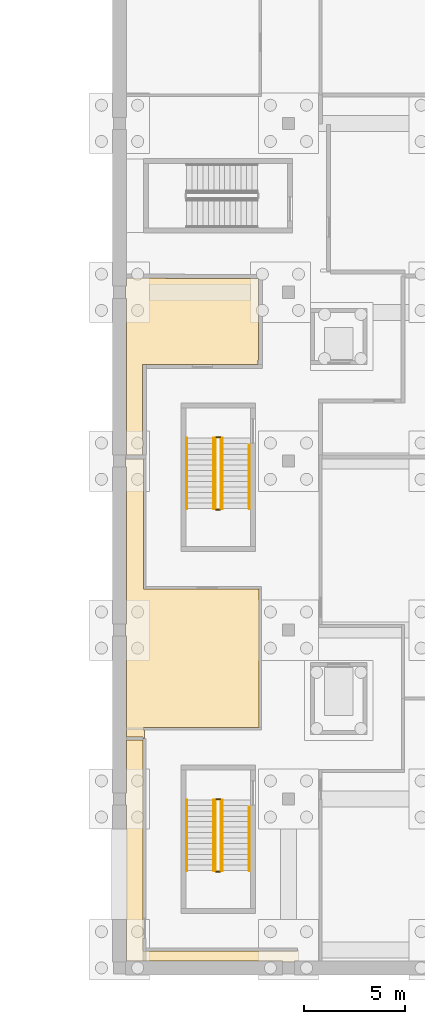
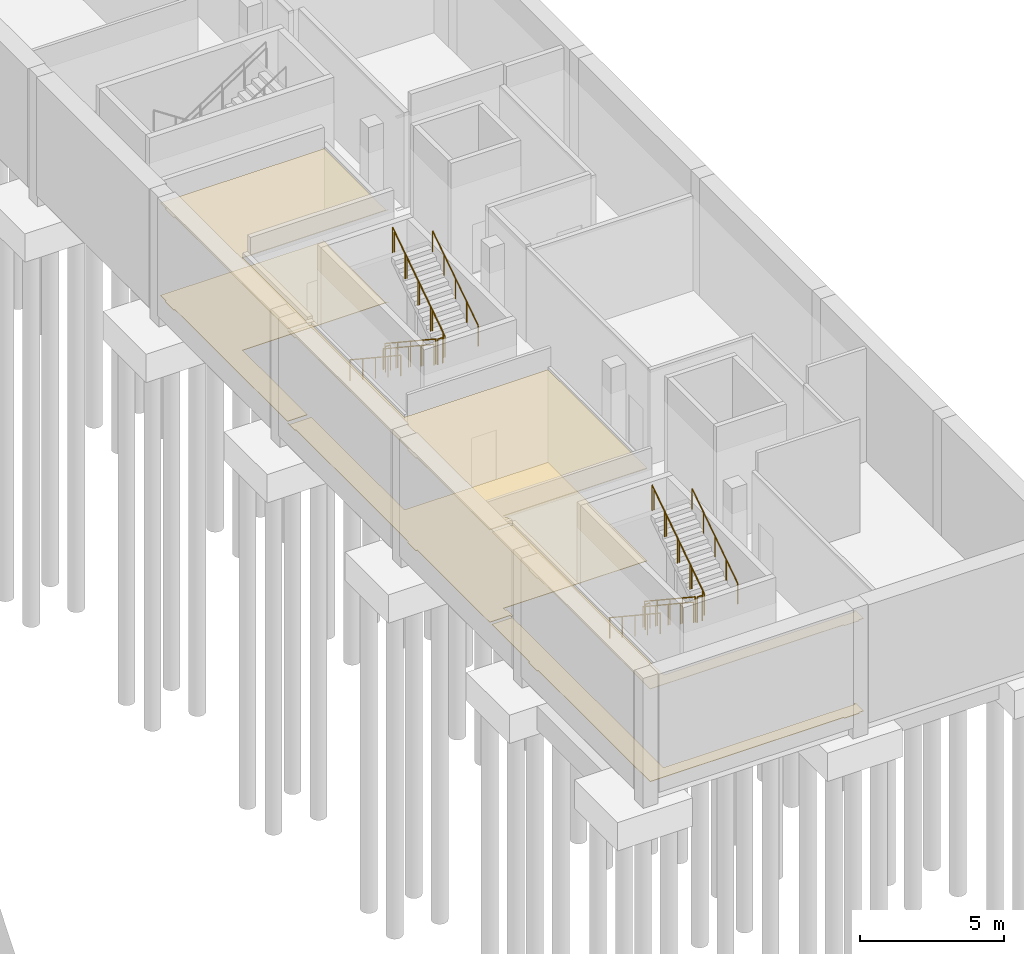
# One storey, part 24 of 33: 16 railings, 6 coverings.
"""IFC4 building model written with IfcOpenShell, lengths in metres."""

from ifc_helpers import new_model, si_unit, direction, frame, origin, origin_2d, place, context, subcontext, project, spatial, polyline, circle, outline, extrude, material, layer, layer_set, type_object, element, save


model = new_model("IFC4")

# Units and contexts
model_context = context("Model", 3, precision=1e-05, world=origin(), true_north=direction((0.0, 1.0)))
body_context = subcontext(model_context, "Body", "Model", "MODEL_VIEW")
ifc_project = project(units=[si_unit("LENGTHUNIT", "METRE"), si_unit("AREAUNIT", "SQUARE_METRE"), si_unit("VOLUMEUNIT", "CUBIC_METRE"), si_unit("PLANEANGLEUNIT", "RADIAN"), si_unit("MASSUNIT", "GRAM", prefix="KILO")], contexts=[model_context])

# Site, building, storey
site_placement = place(None, origin())
site = spatial("IfcSite", under=ifc_project, at=site_placement, CompositionType="ELEMENT")
building_placement = place(site_placement, origin())
building = spatial("IfcBuilding", under=site, at=building_placement, Name="Larchfold Concert Hall", CompositionType="ELEMENT")
storey_placement = place(building_placement, frame((0.0, 0.0, -5.0)))
storey = spatial("IfcBuildingStorey", under=building, at=storey_placement, Name="B1", CompositionType="ELEMENT", Elevation=-5.0)

# Coverings
ifc_material_1 = material(Name="Mineral fibre ceiling tile")
ifc_layer_1 = layer(ifc_material_1, 0.02001953125)
ifc_layer_set_1 = layer_set([ifc_layer_1], Name="Mineral fibre ceiling tile")
covering_type_1 = type_object("IfcCoveringType", Name="Ceiling mineral fibre tile 20", PredefinedType="CEILING", material=ifc_layer_set_1)
covering_1_placement = place(storey_placement, frame((0.0, 0.0, 3.920166015625)))
element("IfcCovering", 1, at=covering_1_placement, inside=storey, type_object=covering_type_1, Name="Ceiling Instrument Maintenance", PredefinedType="CEILING", context=body_context, shape_type="SweptSolid", body=[
    extrude(outline(polyline([(84.9501953125, 9.300048828125), (84.900146484375, 9.300048828125), (84.900146484375, 8.699951171875), (84.9501953125, 8.699951171875), (84.9501953125, 0.9501953125), (92.699951171875, 0.9501953125), (92.699951171875, 0.900146484375), (93.300048828125, 0.900146484375), (93.300048828125, 0.9501953125), (93.492431640625, 0.9501953125), (93.494384765625, 1.47314453125), (93.478759765625, 1.506103515625), (93.445068359375, 1.51953125), (93.445068359375, 1.445068359375), (85.775146484375, 1.446044921875), (85.775146484375, 12.0), (85.77490234375, 11.925048828125), (84.9501953125, 11.925048828125), (84.9501953125, 9.300048828125)])), origin(), (0.0, 0.0, 1.0), 0.02001953125),
])
ifc_material_2 = material(Name="Plasterboard ceiling lining")
ifc_layer_2 = layer(ifc_material_2, 0.030029296875)
ifc_layer_set_2 = layer_set([ifc_layer_2], Name="Plasterboard ceiling lining")
covering_type_2 = type_object("IfcCoveringType", Name="Ceiling suspended plasterboard 30", PredefinedType="CEILING", material=ifc_layer_set_2)
covering_2_placement = place(storey_placement, frame((0.0, 0.0, 3.91015625)))
element("IfcCovering", 2, at=covering_2_placement, inside=storey, type_object=covering_type_2, Name="Ceiling Wardrobe and Laundry", PredefinedType="CEILING", context=body_context, shape_type="SweptSolid", body=[
    extrude(outline(polyline([(85.77490234375, 12.0), (85.849853515625, 12.0), (85.849853515625, 12.4375), (85.78759765625, 12.4375), (85.78759765625, 12.5625), (91.53759765625, 12.5625), (91.53759765625, 19.4375), (85.78759765625, 19.4375), (85.78759765625, 25.89990234375), (84.920166015625, 25.89990234375), (84.920166015625, 26.0), (84.900146484375, 26.0), (84.900146484375, 25.5), (84.9501953125, 25.5), (84.9501953125, 17.699951171875), (84.900146484375, 17.699951171875), (84.900146484375, 17.10009765625), (84.9501953125, 17.10009765625), (84.9501953125, 12.074951171875), (85.77490234375, 12.074951171875), (85.77490234375, 12.0)])), origin(), (0.0, 0.0, 1.0), 0.030029296875),
])
covering_3_placement = place(storey_placement, frame((0.0, 0.0, 3.91015625)))
element("IfcCovering", 3, at=covering_3_placement, inside=storey, type_object=covering_type_2, Name="Ceiling Warm-up Room 01", PredefinedType="CEILING", context=body_context, shape_type="SweptSolid", body=[
    extrude(outline(polyline([(84.9501953125, 26.10009765625), (85.7509765625, 26.10009765625), (85.7509765625, 30.59912109375), (91.60009765625, 30.600830078125), (91.4970703125, 30.60107421875), (91.5, 35.0), (91.499755859375, 34.89111328125), (84.9501953125, 34.89990234375), (84.9501953125, 34.5), (84.900146484375, 34.5), (84.900146484375, 33.89990234375), (84.9501953125, 33.89990234375), (84.9501953125, 26.10009765625)])), origin(), (0.0, 0.0, 1.0), 0.030029296875),
])
ifc_material_3 = material(Name="Linoleum sheet")
ifc_layer_3 = layer(ifc_material_3, 0.02001953125)
ifc_layer_set_3 = layer_set([ifc_layer_3], Name="Linoleum sheet")
covering_type_3 = type_object("IfcCoveringType", Name="Floor finish vinyl 20", PredefinedType="FLOORING", material=ifc_layer_set_3)
covering_4_placement = place(storey_placement, origin())
element("IfcCovering", 4, at=covering_4_placement, inside=storey, type_object=covering_type_3, Name="Floor finish Instrument Maintenance", PredefinedType="FLOORING", context=body_context, shape_type="SweptSolid", body=[
    extrude(outline(polyline([(84.9501953125, 9.300048828125), (84.900146484375, 9.300048828125), (84.900146484375, 8.699951171875), (84.9501953125, 8.699951171875), (84.9501953125, 0.9501953125), (92.699951171875, 0.9501953125), (92.699951171875, 0.900146484375), (93.300048828125, 0.900146484375), (93.300048828125, 0.9501953125), (93.492431640625, 0.9501953125), (93.494384765625, 1.47314453125), (93.478759765625, 1.506103515625), (93.445068359375, 1.51953125), (93.445068359375, 1.445068359375), (85.775146484375, 1.446044921875), (85.775146484375, 12.0), (85.77490234375, 11.925048828125), (84.9501953125, 11.925048828125), (84.9501953125, 9.300048828125)])), origin(), (0.0, 0.0, 1.0), 0.02001953125),
])
covering_5_placement = place(storey_placement, origin())
element("IfcCovering", 5, at=covering_5_placement, inside=storey, type_object=covering_type_3, Name="Floor finish Wardrobe and Laundry", PredefinedType="FLOORING", context=body_context, shape_type="SweptSolid", body=[
    extrude(outline(polyline([(85.77490234375, 12.0), (85.849853515625, 12.0), (85.849853515625, 12.4375), (85.78759765625, 12.4375), (85.78759765625, 12.5625), (91.53759765625, 12.5625), (91.53759765625, 19.4375), (85.78759765625, 19.4375), (85.78759765625, 25.89990234375), (84.920166015625, 25.89990234375), (84.920166015625, 26.0), (84.900146484375, 26.0), (84.900146484375, 25.5), (84.9501953125, 25.5), (84.9501953125, 17.699951171875), (84.900146484375, 17.699951171875), (84.900146484375, 17.10009765625), (84.9501953125, 17.10009765625), (84.9501953125, 12.074951171875), (85.77490234375, 12.074951171875), (85.77490234375, 12.0)])), origin(), (0.0, 0.0, 1.0), 0.02001953125),
])
covering_6_placement = place(storey_placement, origin())
element("IfcCovering", 6, at=covering_6_placement, inside=storey, type_object=covering_type_3, Name="Floor finish Warm-up Room 01", PredefinedType="FLOORING", context=body_context, shape_type="SweptSolid", body=[
    extrude(outline(polyline([(84.9501953125, 26.10009765625), (85.7509765625, 26.10009765625), (85.7509765625, 30.59912109375), (91.60009765625, 30.600830078125), (91.4970703125, 30.60107421875), (91.5, 35.0), (91.499755859375, 34.89111328125), (84.9501953125, 34.89990234375), (84.9501953125, 34.5), (84.900146484375, 34.5), (84.900146484375, 33.89990234375), (84.9501953125, 33.89990234375), (84.9501953125, 26.10009765625)])), origin(), (0.0, 0.0, 1.0), 0.02001953125),
])

# Railings
ifc_material_4 = material(Name="Stainless steel balustrade", Category="steel")
railing_type_1 = type_object("IfcRailingType", Name="Stair guard 1100", PredefinedType="GUARDRAIL", material=ifc_material_4)
railing_1_placement = place(storey_placement, frame((89.349853515625, 8.949951171875, 0.178466796875)))
element("IfcRailing", 7, at=railing_1_placement, inside=storey, type_object=railing_type_1, Name="Guard GR0033", PredefinedType="GUARDRAIL", context=body_context, shape_type="SweptSolid", body=[
    extrude(circle(Radius=0.02392578125, at=origin_2d()), frame((0.0, 0.0, 1.076171875), z_axis=(0.0, -0.834070780157, 0.551657442339), x_axis=(1.0, 0.0, 0.0)), (0.0, 0.0, 1.0), 4.208251953125),
    extrude(circle(Radius=0.02099609375, at=origin_2d()), origin(), (0.0, 0.0, 1.0), 1.052001953125),
    extrude(circle(Radius=0.02099609375, at=origin_2d()), frame((0.0, -0.87744140625, 0.580322265625)), (0.0, 0.0, 1.0), 1.052001953125),
    extrude(circle(Radius=0.02099609375, at=origin_2d()), frame((0.0, -1.7548828125, 1.16064453125)), (0.0, 0.0, 1.0), 1.052001953125),
    extrude(circle(Radius=0.02099609375, at=origin_2d()), frame((0.0, -2.632568359375, 1.7412109375)), (0.0, 0.0, 1.0), 1.052001953125),
    extrude(circle(Radius=0.02099609375, at=origin_2d()), frame((0.0, -3.510009765625, 2.321533203125)), (0.0, 0.0, 1.0), 1.052001953125),
])
railing_2_placement = place(storey_placement, frame((89.39990234375, 5.389892578125, 2.5)))
element("IfcRailing", 8, at=railing_2_placement, inside=storey, type_object=railing_type_1, Name="Guard GR0034", PredefinedType="GUARDRAIL", context=body_context, shape_type="SweptSolid", body=[
    extrude(circle(Radius=0.02392578125, at=origin_2d()), frame((0.0, 0.0, 1.076171875), z_axis=(1.0, 0.0, 0.0), x_axis=(0.0, 1.0, 0.0)), (0.0, 0.0, 1.0), 0.199951171875),
    extrude(circle(Radius=0.02099609375, at=origin_2d()), origin(), (0.0, 0.0, 1.0), 1.052001953125),
    extrude(circle(Radius=0.02099609375, at=origin_2d()), frame((0.199951171875, 0.0, 0.0)), (0.0, 0.0, 1.0), 1.052001953125),
])
railing_3_placement = place(storey_placement, frame((89.64990234375, 5.43994140625, 2.678466796875)))
element("IfcRailing", 9, at=railing_3_placement, inside=storey, type_object=railing_type_1, Name="Guard GR0035", PredefinedType="GUARDRAIL", context=body_context, shape_type="SweptSolid", body=[
    extrude(circle(Radius=0.02392578125, at=origin_2d()), frame((0.0, 0.0, 1.076171875), z_axis=(0.0, 0.834070780157, 0.551657442339), x_axis=(-1.0, 0.0, 0.0)), (0.0, 0.0, 1.0), 4.208251953125),
    extrude(circle(Radius=0.02099609375, at=origin_2d()), origin(), (0.0, 0.0, 1.0), 1.052001953125),
    extrude(circle(Radius=0.02099609375, at=origin_2d()), frame((0.0, 0.87744140625, 0.580322265625)), (0.0, 0.0, 1.0), 1.052001953125),
    extrude(circle(Radius=0.02099609375, at=origin_2d()), frame((0.0, 1.7548828125, 1.16064453125)), (0.0, 0.0, 1.0), 1.052001953125),
    extrude(circle(Radius=0.02099609375, at=origin_2d()), frame((0.0, 2.632568359375, 1.7412109375)), (0.0, 0.0, 1.0), 1.052001953125),
    extrude(circle(Radius=0.02099609375, at=origin_2d()), frame((0.0, 3.510009765625, 2.321533203125)), (0.0, 0.0, 1.0), 1.052001953125),
])
railing_4_placement = place(storey_placement, frame((89.39990234375, 9.0, 0.0)))
element("IfcRailing", 10, at=railing_4_placement, inside=storey, type_object=railing_type_1, Name="Guard GR0036", PredefinedType="GUARDRAIL", context=body_context, shape_type="SweptSolid", body=[
    extrude(circle(Radius=0.02392578125, at=origin_2d()), frame((0.0, 0.0, 1.076171875), z_axis=(1.0, 0.0, 0.0), x_axis=(0.0, 1.0, 0.0)), (0.0, 0.0, 1.0), 0.199951171875),
    extrude(circle(Radius=0.02099609375, at=origin_2d()), origin(), (0.0, 0.0, 1.0), 1.052001953125),
    extrude(circle(Radius=0.02099609375, at=origin_2d()), frame((0.199951171875, 0.0, 0.0)), (0.0, 0.0, 1.0), 1.052001953125),
])
railing_5_placement = place(storey_placement, frame((89.349853515625, 26.949951171875, 0.178466796875)))
element("IfcRailing", 11, at=railing_5_placement, inside=storey, type_object=railing_type_1, Name="Guard GR0037", PredefinedType="GUARDRAIL", context=body_context, shape_type="SweptSolid", body=[
    extrude(circle(Radius=0.02392578125, at=origin_2d()), frame((0.0, 0.0, 1.076171875), z_axis=(0.0, -0.834070780157, 0.551657442339), x_axis=(1.0, 0.0, 0.0)), (0.0, 0.0, 1.0), 4.208251953125),
    extrude(circle(Radius=0.02099609375, at=origin_2d()), origin(), (0.0, 0.0, 1.0), 1.052001953125),
    extrude(circle(Radius=0.02099609375, at=origin_2d()), frame((0.0, -0.87744140625, 0.580322265625)), (0.0, 0.0, 1.0), 1.052001953125),
    extrude(circle(Radius=0.02099609375, at=origin_2d()), frame((0.0, -1.7548828125, 1.16064453125)), (0.0, 0.0, 1.0), 1.052001953125),
    extrude(circle(Radius=0.02099609375, at=origin_2d()), frame((0.0, -2.632568359375, 1.7412109375)), (0.0, 0.0, 1.0), 1.052001953125),
    extrude(circle(Radius=0.02099609375, at=origin_2d()), frame((0.0, -3.510009765625, 2.321533203125)), (0.0, 0.0, 1.0), 1.052001953125),
])
railing_6_placement = place(storey_placement, frame((89.39990234375, 23.389892578125, 2.5)))
element("IfcRailing", 12, at=railing_6_placement, inside=storey, type_object=railing_type_1, Name="Guard GR0038", PredefinedType="GUARDRAIL", context=body_context, shape_type="SweptSolid", body=[
    extrude(circle(Radius=0.02392578125, at=origin_2d()), frame((0.0, 0.0, 1.076171875), z_axis=(1.0, 0.0, 0.0), x_axis=(0.0, 1.0, 0.0)), (0.0, 0.0, 1.0), 0.199951171875),
    extrude(circle(Radius=0.02099609375, at=origin_2d()), origin(), (0.0, 0.0, 1.0), 1.052001953125),
    extrude(circle(Radius=0.02099609375, at=origin_2d()), frame((0.199951171875, 0.0, 0.0)), (0.0, 0.0, 1.0), 1.052001953125),
])
railing_7_placement = place(storey_placement, frame((89.64990234375, 23.43994140625, 2.678466796875)))
element("IfcRailing", 13, at=railing_7_placement, inside=storey, type_object=railing_type_1, Name="Guard GR0039", PredefinedType="GUARDRAIL", context=body_context, shape_type="SweptSolid", body=[
    extrude(circle(Radius=0.02392578125, at=origin_2d()), frame((0.0, 0.0, 1.076171875), z_axis=(0.0, 0.834070780157, 0.551657442339), x_axis=(-1.0, 0.0, 0.0)), (0.0, 0.0, 1.0), 4.208251953125),
    extrude(circle(Radius=0.02099609375, at=origin_2d()), origin(), (0.0, 0.0, 1.0), 1.052001953125),
    extrude(circle(Radius=0.02099609375, at=origin_2d()), frame((0.0, 0.87744140625, 0.580322265625)), (0.0, 0.0, 1.0), 1.052001953125),
    extrude(circle(Radius=0.02099609375, at=origin_2d()), frame((0.0, 1.7548828125, 1.16064453125)), (0.0, 0.0, 1.0), 1.052001953125),
    extrude(circle(Radius=0.02099609375, at=origin_2d()), frame((0.0, 2.632568359375, 1.7412109375)), (0.0, 0.0, 1.0), 1.052001953125),
    extrude(circle(Radius=0.02099609375, at=origin_2d()), frame((0.0, 3.510009765625, 2.321533203125)), (0.0, 0.0, 1.0), 1.052001953125),
])
railing_8_placement = place(storey_placement, frame((89.39990234375, 27.0, 0.0)))
element("IfcRailing", 14, at=railing_8_placement, inside=storey, type_object=railing_type_1, Name="Guard GR0040", PredefinedType="GUARDRAIL", context=body_context, shape_type="SweptSolid", body=[
    extrude(circle(Radius=0.02392578125, at=origin_2d()), frame((0.0, 0.0, 1.076171875), z_axis=(1.0, 0.0, 0.0), x_axis=(0.0, 1.0, 0.0)), (0.0, 0.0, 1.0), 0.199951171875),
    extrude(circle(Radius=0.02099609375, at=origin_2d()), origin(), (0.0, 0.0, 1.0), 1.052001953125),
    extrude(circle(Radius=0.02099609375, at=origin_2d()), frame((0.199951171875, 0.0, 0.0)), (0.0, 0.0, 1.0), 1.052001953125),
])
ifc_material_5 = material(Name="Stainless steel handrail", Category="steel")
railing_type_2 = type_object("IfcRailingType", Name="Stair handrail 900", PredefinedType="HANDRAIL", material=ifc_material_5)
railing_9_placement = place(storey_placement, frame((87.949951171875, 8.949951171875, 0.178466796875)))
element("IfcRailing", 15, at=railing_9_placement, inside=storey, type_object=railing_type_2, Name="Handrail HR0033", PredefinedType="HANDRAIL", context=body_context, shape_type="SweptSolid", body=[
    extrude(circle(Radius=0.02392578125, at=origin_2d()), frame((0.0, 0.0, 0.8759765625), z_axis=(0.0, -0.834070780157, 0.551657442339), x_axis=(1.0, 0.0, 0.0)), (0.0, 0.0, 1.0), 4.208251953125),
    extrude(circle(Radius=0.02099609375, at=origin_2d()), origin(), (0.0, 0.0, 1.0), 0.851806640625),
    extrude(circle(Radius=0.02099609375, at=origin_2d()), frame((0.0, -0.87744140625, 0.580322265625)), (0.0, 0.0, 1.0), 0.851806640625),
    extrude(circle(Radius=0.02099609375, at=origin_2d()), frame((0.0, -1.7548828125, 1.16064453125)), (0.0, 0.0, 1.0), 0.851806640625),
    extrude(circle(Radius=0.02099609375, at=origin_2d()), frame((0.0, -2.632568359375, 1.7412109375)), (0.0, 0.0, 1.0), 0.851806640625),
    extrude(circle(Radius=0.02099609375, at=origin_2d()), frame((0.0, -3.510009765625, 2.321533203125)), (0.0, 0.0, 1.0), 0.851806640625),
])
railing_10_placement = place(storey_placement, frame((91.0498046875, 5.43994140625, 2.678466796875)))
element("IfcRailing", 16, at=railing_10_placement, inside=storey, type_object=railing_type_2, Name="Handrail HR0034", PredefinedType="HANDRAIL", context=body_context, shape_type="SweptSolid", body=[
    extrude(circle(Radius=0.02392578125, at=origin_2d()), frame((0.0, 0.0, 0.8759765625), z_axis=(0.0, 0.834076964798, 0.551648091443), x_axis=(-1.0, 0.0, 0.0)), (0.0, 0.0, 1.0), 3.788818359375),
    extrude(circle(Radius=0.02099609375, at=origin_2d()), origin(), (0.0, 0.0, 1.0), 0.851806640625),
    extrude(circle(Radius=0.02099609375, at=origin_2d()), frame((0.0, 0.7900390625, 0.5224609375)), (0.0, 0.0, 1.0), 0.851806640625),
    extrude(circle(Radius=0.02099609375, at=origin_2d()), frame((0.0, 1.580078125, 1.044921875)), (0.0, 0.0, 1.0), 0.851806640625),
    extrude(circle(Radius=0.02099609375, at=origin_2d()), frame((0.0, 2.3701171875, 1.567626953125)), (0.0, 0.0, 1.0), 0.851806640625),
    extrude(circle(Radius=0.02099609375, at=origin_2d()), frame((0.0, 3.16015625, 2.090087890625)), (0.0, 0.0, 1.0), 0.851806640625),
])
railing_11_placement = place(storey_placement, frame((89.27978515625, 8.949951171875, 0.178466796875)))
element("IfcRailing", 17, at=railing_11_placement, inside=storey, type_object=railing_type_2, Name="Handrail HR0035", PredefinedType="HANDRAIL", context=body_context, shape_type="SweptSolid", body=[
    extrude(circle(Radius=0.02392578125, at=origin_2d()), frame((0.0, 0.0, 0.8759765625), z_axis=(0.0, -0.834070780157, 0.551657442339), x_axis=(1.0, 0.0, 0.0)), (0.0, 0.0, 1.0), 4.208251953125),
    extrude(circle(Radius=0.02099609375, at=origin_2d()), origin(), (0.0, 0.0, 1.0), 0.851806640625),
    extrude(circle(Radius=0.02099609375, at=origin_2d()), frame((0.0, -0.87744140625, 0.580322265625)), (0.0, 0.0, 1.0), 0.851806640625),
    extrude(circle(Radius=0.02099609375, at=origin_2d()), frame((0.0, -1.7548828125, 1.16064453125)), (0.0, 0.0, 1.0), 0.851806640625),
    extrude(circle(Radius=0.02099609375, at=origin_2d()), frame((0.0, -2.632568359375, 1.7412109375)), (0.0, 0.0, 1.0), 0.851806640625),
    extrude(circle(Radius=0.02099609375, at=origin_2d()), frame((0.0, -3.510009765625, 2.321533203125)), (0.0, 0.0, 1.0), 0.851806640625),
])
railing_12_placement = place(storey_placement, frame((89.719970703125, 5.43994140625, 2.678466796875)))
element("IfcRailing", 18, at=railing_12_placement, inside=storey, type_object=railing_type_2, Name="Handrail HR0036", PredefinedType="HANDRAIL", context=body_context, shape_type="SweptSolid", body=[
    extrude(circle(Radius=0.02392578125, at=origin_2d()), frame((0.0, 0.0, 0.8759765625), z_axis=(0.0, 0.834070780157, 0.551657442339), x_axis=(-1.0, 0.0, 0.0)), (0.0, 0.0, 1.0), 4.208251953125),
    extrude(circle(Radius=0.02099609375, at=origin_2d()), origin(), (0.0, 0.0, 1.0), 0.851806640625),
    extrude(circle(Radius=0.02099609375, at=origin_2d()), frame((0.0, 0.87744140625, 0.580322265625)), (0.0, 0.0, 1.0), 0.851806640625),
    extrude(circle(Radius=0.02099609375, at=origin_2d()), frame((0.0, 1.7548828125, 1.16064453125)), (0.0, 0.0, 1.0), 0.851806640625),
    extrude(circle(Radius=0.02099609375, at=origin_2d()), frame((0.0, 2.632568359375, 1.7412109375)), (0.0, 0.0, 1.0), 0.851806640625),
    extrude(circle(Radius=0.02099609375, at=origin_2d()), frame((0.0, 3.510009765625, 2.321533203125)), (0.0, 0.0, 1.0), 0.851806640625),
])
railing_13_placement = place(storey_placement, frame((87.949951171875, 26.949951171875, 0.178466796875)))
element("IfcRailing", 19, at=railing_13_placement, inside=storey, type_object=railing_type_2, Name="Handrail HR0037", PredefinedType="HANDRAIL", context=body_context, shape_type="SweptSolid", body=[
    extrude(circle(Radius=0.02392578125, at=origin_2d()), frame((0.0, 0.0, 0.8759765625), z_axis=(0.0, -0.834070780157, 0.551657442339), x_axis=(1.0, 0.0, 0.0)), (0.0, 0.0, 1.0), 4.208251953125),
    extrude(circle(Radius=0.02099609375, at=origin_2d()), origin(), (0.0, 0.0, 1.0), 0.851806640625),
    extrude(circle(Radius=0.02099609375, at=origin_2d()), frame((0.0, -0.87744140625, 0.580322265625)), (0.0, 0.0, 1.0), 0.851806640625),
    extrude(circle(Radius=0.02099609375, at=origin_2d()), frame((0.0, -1.7548828125, 1.16064453125)), (0.0, 0.0, 1.0), 0.851806640625),
    extrude(circle(Radius=0.02099609375, at=origin_2d()), frame((0.0, -2.632568359375, 1.7412109375)), (0.0, 0.0, 1.0), 0.851806640625),
    extrude(circle(Radius=0.02099609375, at=origin_2d()), frame((0.0, -3.510009765625, 2.321533203125)), (0.0, 0.0, 1.0), 0.851806640625),
])
railing_14_placement = place(storey_placement, frame((91.0498046875, 23.43994140625, 2.678466796875)))
element("IfcRailing", 20, at=railing_14_placement, inside=storey, type_object=railing_type_2, Name="Handrail HR0038", PredefinedType="HANDRAIL", context=body_context, shape_type="SweptSolid", body=[
    extrude(circle(Radius=0.02392578125, at=origin_2d()), frame((0.0, 0.0, 0.8759765625), z_axis=(0.0, 0.834076964798, 0.551648091443), x_axis=(-1.0, 0.0, 0.0)), (0.0, 0.0, 1.0), 3.788818359375),
    extrude(circle(Radius=0.02099609375, at=origin_2d()), origin(), (0.0, 0.0, 1.0), 0.851806640625),
    extrude(circle(Radius=0.02099609375, at=origin_2d()), frame((0.0, 0.7900390625, 0.5224609375)), (0.0, 0.0, 1.0), 0.851806640625),
    extrude(circle(Radius=0.02099609375, at=origin_2d()), frame((0.0, 1.580078125, 1.044921875)), (0.0, 0.0, 1.0), 0.851806640625),
    extrude(circle(Radius=0.02099609375, at=origin_2d()), frame((0.0, 2.3701171875, 1.567626953125)), (0.0, 0.0, 1.0), 0.851806640625),
    extrude(circle(Radius=0.02099609375, at=origin_2d()), frame((0.0, 3.16015625, 2.090087890625)), (0.0, 0.0, 1.0), 0.851806640625),
])
railing_15_placement = place(storey_placement, frame((89.27978515625, 26.949951171875, 0.178466796875)))
element("IfcRailing", 21, at=railing_15_placement, inside=storey, type_object=railing_type_2, Name="Handrail HR0039", PredefinedType="HANDRAIL", context=body_context, shape_type="SweptSolid", body=[
    extrude(circle(Radius=0.02392578125, at=origin_2d()), frame((0.0, 0.0, 0.8759765625), z_axis=(0.0, -0.834070780157, 0.551657442339), x_axis=(1.0, 0.0, 0.0)), (0.0, 0.0, 1.0), 4.208251953125),
    extrude(circle(Radius=0.02099609375, at=origin_2d()), origin(), (0.0, 0.0, 1.0), 0.851806640625),
    extrude(circle(Radius=0.02099609375, at=origin_2d()), frame((0.0, -0.87744140625, 0.580322265625)), (0.0, 0.0, 1.0), 0.851806640625),
    extrude(circle(Radius=0.02099609375, at=origin_2d()), frame((0.0, -1.7548828125, 1.16064453125)), (0.0, 0.0, 1.0), 0.851806640625),
    extrude(circle(Radius=0.02099609375, at=origin_2d()), frame((0.0, -2.632568359375, 1.7412109375)), (0.0, 0.0, 1.0), 0.851806640625),
    extrude(circle(Radius=0.02099609375, at=origin_2d()), frame((0.0, -3.510009765625, 2.321533203125)), (0.0, 0.0, 1.0), 0.851806640625),
])
railing_16_placement = place(storey_placement, frame((89.719970703125, 23.43994140625, 2.678466796875)))
element("IfcRailing", 22, at=railing_16_placement, inside=storey, type_object=railing_type_2, Name="Handrail HR0040", PredefinedType="HANDRAIL", context=body_context, shape_type="SweptSolid", body=[
    extrude(circle(Radius=0.02392578125, at=origin_2d()), frame((0.0, 0.0, 0.8759765625), z_axis=(0.0, 0.834070780157, 0.551657442339), x_axis=(-1.0, 0.0, 0.0)), (0.0, 0.0, 1.0), 4.208251953125),
    extrude(circle(Radius=0.02099609375, at=origin_2d()), origin(), (0.0, 0.0, 1.0), 0.851806640625),
    extrude(circle(Radius=0.02099609375, at=origin_2d()), frame((0.0, 0.87744140625, 0.580322265625)), (0.0, 0.0, 1.0), 0.851806640625),
    extrude(circle(Radius=0.02099609375, at=origin_2d()), frame((0.0, 1.7548828125, 1.16064453125)), (0.0, 0.0, 1.0), 0.851806640625),
    extrude(circle(Radius=0.02099609375, at=origin_2d()), frame((0.0, 2.632568359375, 1.7412109375)), (0.0, 0.0, 1.0), 0.851806640625),
    extrude(circle(Radius=0.02099609375, at=origin_2d()), frame((0.0, 3.510009765625, 2.321533203125)), (0.0, 0.0, 1.0), 0.851806640625),
])

save(model, "model.ifc")
